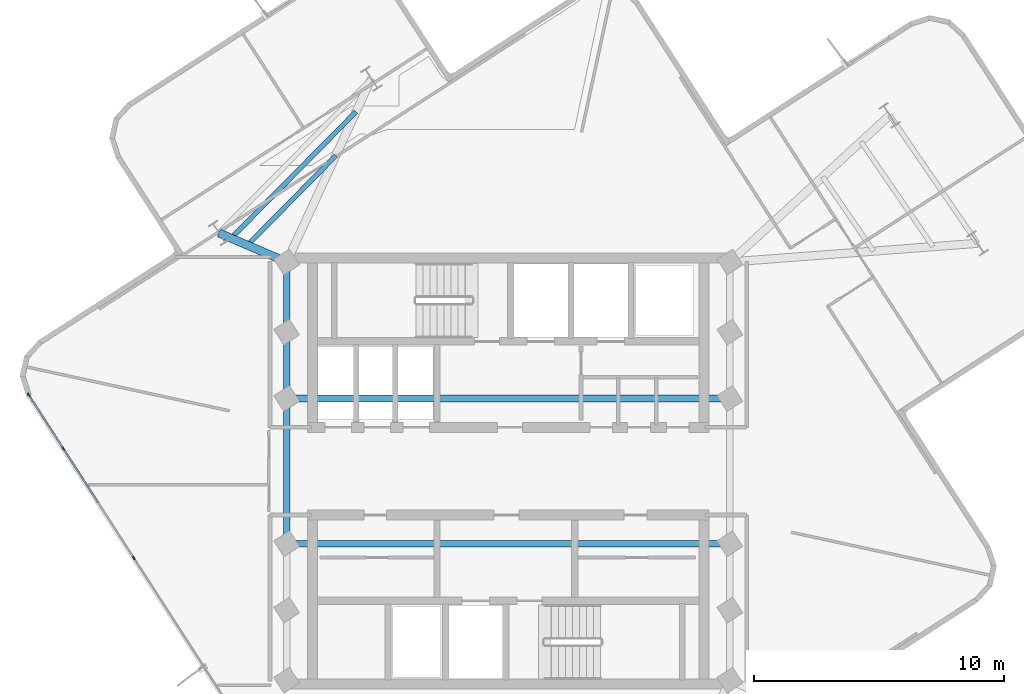
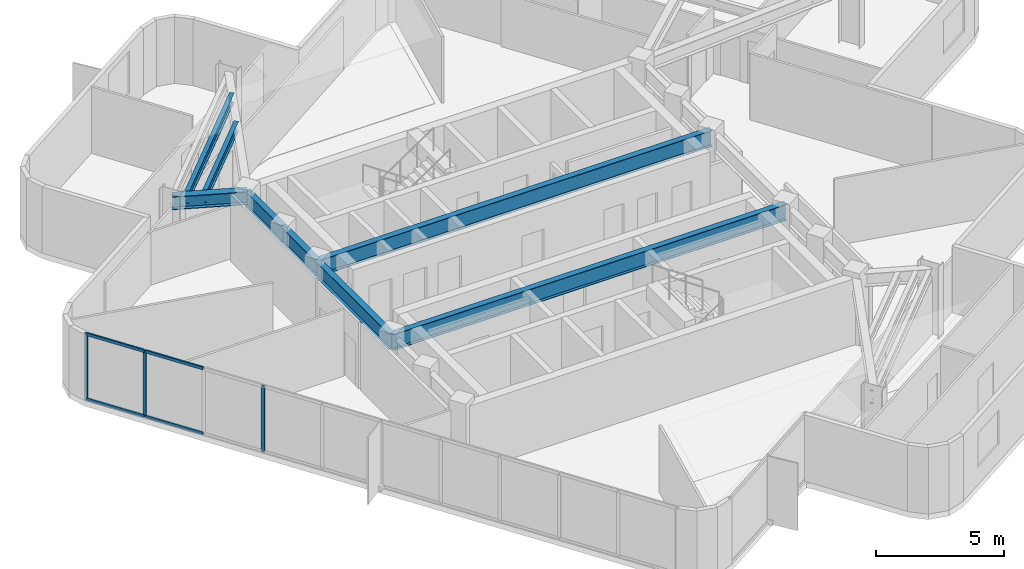
# One storey, part 3 of 9: 8 beams, 7 members, 1 element without a shape of its own.
"""IFC4 building model written with IfcOpenShell, lengths in metres."""

from ifc_helpers import new_model, si_unit, direction, frame, origin, origin_2d, place, context, subcontext, project, spatial, rectangle, i_section, extrude, material, layer, layer_set, material_profile, profile_set, type_object, element, aggregate, save


model = new_model("IFC4")

# Units and contexts
model_context = context("Model", 3, precision=1e-05, world=origin(), true_north=direction((0.0, 1.0)))
body_context = subcontext(model_context, "Body", "Model", "MODEL_VIEW")
ifc_project = project(units=[si_unit("LENGTHUNIT", "METRE"), si_unit("AREAUNIT", "SQUARE_METRE"), si_unit("VOLUMEUNIT", "CUBIC_METRE"), si_unit("PLANEANGLEUNIT", "RADIAN"), si_unit("MASSUNIT", "GRAM", prefix="KILO")], contexts=[model_context])

# Site, building, storey
site_placement = place(None, origin())
site = spatial("IfcSite", under=ifc_project, at=site_placement, CompositionType="ELEMENT")
building_placement = place(site_placement, origin())
building = spatial("IfcBuilding", under=site, at=building_placement, Name="Solmarez Civic Tower", CompositionType="ELEMENT")
storey_placement = place(building_placement, frame((0.0, 0.0, 215.4599609375)))
storey = spatial("IfcBuildingStorey", under=building, at=storey_placement, Name="L57", CompositionType="ELEMENT", Elevation=215.4599609375)

# Beams
ifc_material_1 = material(Name="Steel S355", Category="steel")
ifc_material_profile_1 = material_profile(ifc_material_1, i_section(OverallWidth=0.19189453125, OverallDepth=0.462890625, WebThickness=0.010498046875, FlangeThickness=0.017578125, at=origin_2d()), Name="W18X60")
ifc_profile_set_1 = profile_set([ifc_material_profile_1], Name="Steel S355")
beam_type_1 = type_object("IfcBeamType", Name="BM-JS-W18X60", PredefinedType="JOIST", material=ifc_profile_set_1)
beam_1_placement = place(storey_placement, frame((-6.887939453125, 12.595947265625, 2.927978515625), z_axis=(-0.702816380081, -0.711371306625, 0.0), x_axis=(0.711371306625, -0.702816380081, 0.0)))
element("IfcBeam", 1, at=beam_1_placement, inside=storey, type_object=beam_type_1, Name="L57 Secondary Floor Joist JS-L57-NA-M11", PredefinedType="JOIST", context=body_context, shape_type="SweptSolid", body=[
    extrude(i_section(OverallWidth=0.19189453125, OverallDepth=0.462890625, WebThickness=0.010498046875, FlangeThickness=0.017578125, at=origin_2d()), origin(), (0.0, 0.0, 1.0), 5.022705078125),
])
beam_2_placement = place(storey_placement, frame((-6.076904296875, 14.35302734375, 2.927978515625), z_axis=(-0.702726827997, -0.711459770622, 0.0), x_axis=(0.711459770622, -0.702726827997, 0.0)))
element("IfcBeam", 2, at=beam_2_placement, inside=storey, type_object=beam_type_1, Name="L57 Secondary Floor Joist JS-L57-NA-M12", PredefinedType="JOIST", context=body_context, shape_type="SweptSolid", body=[
    extrude(i_section(OverallWidth=0.19189453125, OverallDepth=0.462890625, WebThickness=0.010498046875, FlangeThickness=0.017578125, at=origin_2d()), origin(), (0.0, 0.0, 1.0), 7.100830078125),
])
ifc_material_profile_2 = material_profile(ifc_material_1, i_section(OverallWidth=0.327880859375, OverallDepth=0.6220703125, WebThickness=0.015380859375, FlangeThickness=0.0244140625, at=origin_2d()), Name="W24X131")
ifc_profile_set_2 = profile_set([ifc_material_profile_2], Name="Steel S355")
beam_type_2 = type_object("IfcBeamType", Name="BM-PR-W24X131", PredefinedType="BEAM", material=ifc_profile_set_2)
beam_3_placement = place(storey_placement, frame((-8.85009765625, 8.35009765625, 2.84912109375), z_axis=(-0.919007627325, 0.394239750557, 0.0), x_axis=(-0.394239750557, -0.919007627325, 0.0)))
element("IfcBeam", 3, at=beam_3_placement, inside=storey, type_object=beam_type_2, Name="L57 Primary Floor Beam BM-L57-NA-R1B", PredefinedType="BEAM", context=body_context, shape_type="SweptSolid", body=[
    extrude(i_section(OverallWidth=0.327880859375, OverallDepth=0.6220703125, WebThickness=0.015380859375, FlangeThickness=0.0244140625, at=origin_2d()), origin(), (0.0, 0.0, 1.0), 2.942138671875),
])
ifc_material_profile_3 = material_profile(ifc_material_1, i_section(OverallWidth=0.26708984375, OverallDepth=0.761962890625, WebThickness=0.014404296875, FlangeThickness=0.021484375, at=origin_2d()), Name="W30X116")
ifc_profile_set_3 = profile_set([ifc_material_profile_3], Name="Steel S355")
beam_type_3 = type_object("IfcBeamType", Name="BM-PR-W30X116", PredefinedType="BEAM", material=ifc_profile_set_3)
beam_4_placement = place(storey_placement, frame((-8.85009765625, -2.89990234375, 2.779052734375), z_axis=(0.0, 1.0, 0.0), x_axis=(-1.0, 0.0, 0.0)))
element("IfcBeam", 4, at=beam_4_placement, inside=storey, type_object=beam_type_3, Name="L57 Primary Floor Beam BM-L57-HC2-HC3", PredefinedType="BEAM", context=body_context, shape_type="SweptSolid", body=[
    extrude(i_section(OverallWidth=0.26708984375, OverallDepth=0.761962890625, WebThickness=0.014404296875, FlangeThickness=0.021484375, at=origin_2d()), origin(), (0.0, 0.0, 1.0), 5.7998046875),
])
beam_5_placement = place(storey_placement, frame((-8.85009765625, 2.89990234375, 2.779052734375), z_axis=(0.0, 1.0, 0.0), x_axis=(-1.0, 0.0, 0.0)))
element("IfcBeam", 5, at=beam_5_placement, inside=storey, type_object=beam_type_3, Name="L57 Primary Floor Beam BM-L57-HC3-HC4", PredefinedType="BEAM", context=body_context, shape_type="SweptSolid", body=[
    extrude(i_section(OverallWidth=0.26708984375, OverallDepth=0.761962890625, WebThickness=0.014404296875, FlangeThickness=0.021484375, at=origin_2d()), origin(), (0.0, 0.0, 1.0), 2.650146484375),
])
beam_6_placement = place(storey_placement, frame((-8.85009765625, 5.550048828125, 2.779052734375), z_axis=(0.0, 1.0, 0.0), x_axis=(-1.0, 0.0, 0.0)))
element("IfcBeam", 6, at=beam_6_placement, inside=storey, type_object=beam_type_3, Name="L57 Primary Floor Beam BM-L57-HC4-HC9", PredefinedType="BEAM", context=body_context, shape_type="SweptSolid", body=[
    extrude(i_section(OverallWidth=0.26708984375, OverallDepth=0.761962890625, WebThickness=0.014404296875, FlangeThickness=0.021484375, at=origin_2d()), origin(), (0.0, 0.0, 1.0), 2.800048828125),
])
for number, where, z_axis, x_axis, name in (
    (7, (-8.85009765625, -2.89990234375, 2.779052734375), (1.0, 0.0, 0.0), (0.0, 1.0, 0.0), "L57 Primary Floor Beam BM-L57-HC2-HC6"),
    (8, (-8.85009765625, 2.89990234375, 2.779052734375), (1.0, 0.0, 0.0), (0.0, 1.0, 0.0), "L57 Primary Floor Beam BM-L57-HC3-HC7"),
):
    element("IfcBeam", number, at=place(storey_placement, frame(where, z_axis=z_axis, x_axis=x_axis)), inside=storey, type_object=beam_type_3, Name=name, PredefinedType="BEAM", context=body_context, shape_type="SweptSolid", body=[
        extrude(i_section(OverallWidth=0.26708984375, OverallDepth=0.761962890625, WebThickness=0.014404296875, FlangeThickness=0.021484375, at=origin_2d()), origin(), (0.0, 0.0, 1.0), 17.7001953125),
    ])

# Curtain wall, members
ifc_material_2 = material(Name="Bronze Anodised Aluminium EN AW-6063 T6", Category="aluminium")
ifc_layer = layer(ifc_material_2, 0.1650390625)
ifc_layer_set = layer_set([ifc_layer], Name="Bronze Anodised Aluminium EN AW-6063 T6")
curtain_wall_type = type_object("IfcCurtainWallType", Name="CW-SYS-4", PredefinedType="NOTDEFINED", material=ifc_layer_set)
curtain_wall_placement = place(storey_placement, origin())
curtain_wall = element("IfcCurtainWall", 9, at=curtain_wall_placement, inside=storey, type_object=curtain_wall_type, Name="L57 Stick-Built Curtain Wall 2", PredefinedType="NOTDEFINED")
ifc_material_profile_4 = material_profile(ifc_material_2, rectangle(XDim=0.06005859375, YDim=0.14990234375, at=origin_2d()), Name="CWM-60X150")
ifc_profile_set_4 = profile_set([ifc_material_profile_4], Name="Bronze Anodised Aluminium EN AW-6063 T6")
member_type_1 = type_object("IfcMemberType", Name="CWM-TYPE-4", PredefinedType="MULLION", material=ifc_profile_set_4)
member_1_placement = place(storey_placement, frame((-14.954833984375, -3.46923828125, 0.0), z_axis=(0.0, 0.0, 1.0), x_axis=(-0.840555031971, -0.541726165354, 0.0)))
member_1 = element("IfcMember", 10, at=member_1_placement, type_object=member_type_1, Name="CWS4 mullion 8", PredefinedType="MULLION", context=body_context, shape_type="SweptSolid", body=[
    extrude(rectangle(XDim=0.06005859375, YDim=0.14990234375, at=origin_2d()), origin(), (0.0, 0.0, 1.0), 3.16015625),
])
member_2_placement = place(storey_placement, frame((-17.763671875, 0.888916015625, 0.0), z_axis=(0.0, 0.0, 1.0), x_axis=(-0.840555031971, -0.541726165354, 0.0)))
member_2 = element("IfcMember", 11, at=member_2_placement, type_object=member_type_1, Name="CWS4 mullion 10", PredefinedType="MULLION", context=body_context, shape_type="SweptSolid", body=[
    extrude(rectangle(XDim=0.06005859375, YDim=0.14990234375, at=origin_2d()), origin(), (0.0, 0.0, 1.0), 3.16015625),
])
member_3_placement = place(storey_placement, frame((-19.15185546875, 3.042724609375, 0.0), z_axis=(0.0, 0.0, 1.0), x_axis=(-0.840555031971, -0.541726165354, 0.0)))
member_3 = element("IfcMember", 12, at=member_3_placement, type_object=member_type_1, Name="CWS4 mullion 11", PredefinedType="MULLION", context=body_context, shape_type="SweptSolid", body=[
    extrude(rectangle(XDim=0.06005859375, YDim=0.14990234375, at=origin_2d()), origin(), (0.0, 0.0, 1.0), 3.16015625),
])
ifc_material_profile_5 = material_profile(ifc_material_2, rectangle(XDim=0.070068359375, YDim=0.139892578125, at=origin_2d()), Name="CWT-70X140")
ifc_profile_set_5 = profile_set([ifc_material_profile_5], Name="Bronze Anodised Aluminium EN AW-6063 T6")
member_type_2 = type_object("IfcMemberType", Name="CWT-TYPE-1", PredefinedType="USERDEFINED", material=ifc_profile_set_5)
member_4_placement = place(storey_placement, frame((-16.37548828125, -1.264892578125, 0.03515625), z_axis=(-0.541707388544, 0.840567133069, 0.0), x_axis=(-0.840567133069, -0.541707388544, 0.0)))
member_4 = element("IfcMember", 13, at=member_4_placement, type_object=member_type_2, Name="CWS4 transom 9.1", ObjectType="TRANSOM", PredefinedType="USERDEFINED", context=body_context, shape_type="SweptSolid", body=[
    extrude(rectangle(XDim=0.070068359375, YDim=0.139892578125, at=origin_2d()), origin(), (0.0, 0.0, 1.0), 2.532470703125),
])
member_5_placement = place(storey_placement, frame((-16.37548828125, -1.264892578125, 3.125), z_axis=(-0.541707388544, 0.840567133069, 0.0), x_axis=(-0.840567133069, -0.541707388544, 0.0)))
member_5 = element("IfcMember", 14, at=member_5_placement, type_object=member_type_2, Name="CWS4 transom 9.2", ObjectType="TRANSOM", PredefinedType="USERDEFINED", context=body_context, shape_type="SweptSolid", body=[
    extrude(rectangle(XDim=0.070068359375, YDim=0.139892578125, at=origin_2d()), origin(), (0.0, 0.0, 1.0), 2.532470703125),
])
member_6_placement = place(storey_placement, frame((-17.77978515625, 0.9140625, 0.03515625), z_axis=(-0.541733500559, 0.840550304487, 0.0), x_axis=(-0.840550304487, -0.541733500559, 0.0)))
member_6 = element("IfcMember", 15, at=member_6_placement, type_object=member_type_2, Name="CWS4 transom 10.1", ObjectType="TRANSOM", PredefinedType="USERDEFINED", context=body_context, shape_type="SweptSolid", body=[
    extrude(rectangle(XDim=0.070068359375, YDim=0.139892578125, at=origin_2d()), origin(), (0.0, 0.0, 1.0), 2.50244140625),
])
member_7_placement = place(storey_placement, frame((-17.77978515625, 0.9140625, 3.125), z_axis=(-0.541733500559, 0.840550304487, 0.0), x_axis=(-0.840550304487, -0.541733500559, 0.0)))
member_7 = element("IfcMember", 16, at=member_7_placement, type_object=member_type_2, Name="CWS4 transom 10.2", ObjectType="TRANSOM", PredefinedType="USERDEFINED", context=body_context, shape_type="SweptSolid", body=[
    extrude(rectangle(XDim=0.070068359375, YDim=0.139892578125, at=origin_2d()), origin(), (0.0, 0.0, 1.0), 2.50244140625),
])
aggregate(curtain_wall, [member_1, member_2, member_3, member_4, member_5, member_6, member_7])

save(model, "model.ifc")
